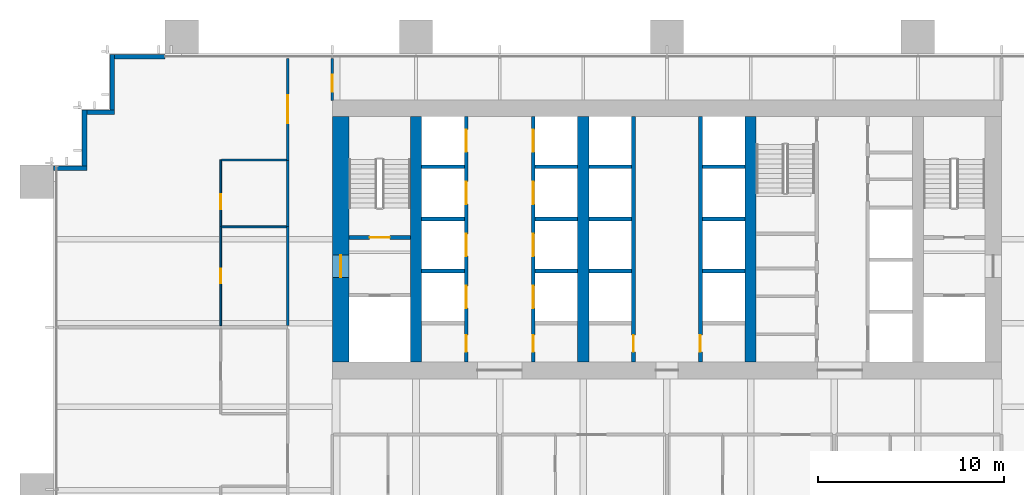
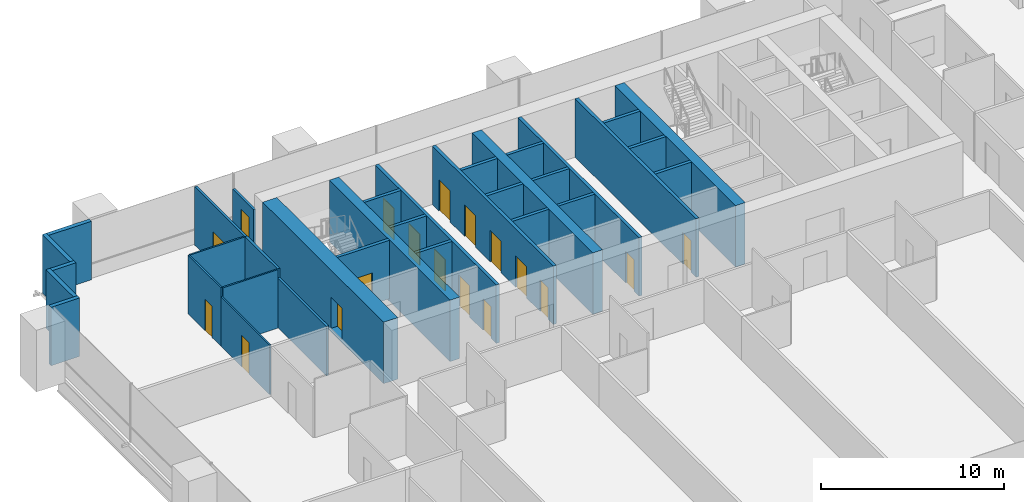
# One storey, part 13 of 17: 34 walls, 18 doors, 18 openings.
"""IFC4 building model written with IfcOpenShell, lengths in metres."""

from ifc_helpers import new_model, si_unit, direction, frame, frame_2d, origin, place, context, subcontext, project, spatial, rectangle, extrude, material, layer, layer_set, type_object, element, fill, save


model = new_model("IFC4")

# Units and contexts
model_context = context("Model", 3, precision=1e-05, world=origin(), true_north=direction((0.0, 1.0)))
body_context = subcontext(model_context, "Body", "Model", "MODEL_VIEW")
ifc_project = project(units=[si_unit("LENGTHUNIT", "METRE"), si_unit("AREAUNIT", "SQUARE_METRE"), si_unit("VOLUMEUNIT", "CUBIC_METRE"), si_unit("PLANEANGLEUNIT", "RADIAN"), si_unit("MASSUNIT", "GRAM", prefix="KILO")], contexts=[model_context])

# Site, building, storey
site_placement = place(None, origin())
site = spatial("IfcSite", under=ifc_project, at=site_placement, CompositionType="ELEMENT")
building_placement = place(site_placement, origin())
building = spatial("IfcBuilding", under=site, at=building_placement, Name="Rattan Terrace Tower", CompositionType="ELEMENT")
storey_placement = place(building_placement, frame((0.0, 0.0, 61.10009765625)))
storey = spatial("IfcBuildingStorey", under=building, at=storey_placement, Name="L13", CompositionType="ELEMENT", Elevation=61.10009765625)

# Wall, opening, door
ifc_material_1 = material(Name="Gypsum board partition")
ifc_layer_1 = layer(ifc_material_1, 0.199951171875)
ifc_layer_set_1 = layer_set([ifc_layer_1], Name="Core partition 200")
wall_type_1 = type_object("IfcWallType", Name="Core partition 200", PredefinedType="PARTITIONING", material=ifc_layer_set_1)
wall_1_placement = place(storey_placement, frame((-17.10009765625, 0.10009765625, 0.0), z_axis=(0.0, 0.0, 1.0), x_axis=(1.0, 0.0, 0.0)))
wall_1 = element("IfcWall", 1, at=wall_1_placement, inside=storey, type_object=wall_type_1, Name="Stair enclosure wall", PredefinedType="PARTITIONING", context=body_context, shape_type="SweptSolid", body=[
    extrude(rectangle(XDim=3.300048828125, YDim=0.199951171875, at=frame_2d((1.64990234375, 0.0))), origin(), (0.0, 0.0, 1.0), 3.89990234375),
])
opening_1_placement = place(wall_1_placement, frame((1.10009765625, 0.0, 0.0)))
opening_1 = element("IfcOpeningElement", 2, at=opening_1_placement, cuts=wall_1, Name="Opening L13-D002", PredefinedType="OPENING", context=body_context, shape_type="SweptSolid", body=[
    extrude(rectangle(XDim=1.10009765625, YDim=2.10009765625, at=frame_2d((0.550048828125, 1.050048828125))), frame((0.0, 0.110595703125, 0.0), z_axis=(0.0, -1.0, 0.0), x_axis=(1.0, 0.0, 0.0)), (0.0, 0.0, 1.0), 0.220947265625),
])
ifc_material_2 = material(Name="Hollow-metal fire door leaf")
door_type_1 = type_object("IfcDoorType", Name="Core stair door 1100", OperationType="NOTDEFINED", PredefinedType="DOOR", material=ifc_material_2)
door_1_placement = place(opening_1_placement, origin())
door_1 = element("IfcDoor", 3, at=door_1_placement, inside=storey, type_object=door_type_1, Name="Door L13-D002", OperationType="SINGLE_SWING_LEFT", OverallHeight=2.10009765625, OverallWidth=1.10009765625, PredefinedType="DOOR", context=body_context, shape_type="SweptSolid", body=[
    extrude(rectangle(XDim=1.10009765625, YDim=2.10009765625, at=frame_2d((0.550048828125, 1.050048828125))), frame((0.0, 0.02490234375, 0.0), z_axis=(0.0, -1.0, 0.0), x_axis=(1.0, 0.0, 0.0)), (0.0, 0.0, 1.0), 0.050048828125),
])
fill(opening_1, door_1)

ifc_material_3 = material(Name="Concrete C70/85", Category="concrete")
ifc_layer_2 = layer(ifc_material_3, 0.89990234375)
ifc_layer_set_2 = layer_set([ifc_layer_2], Name="Core ring wall 900 C70/85")
wall_type_2 = type_object("IfcWallType", Name="Core ring wall 900 C70/85", PredefinedType="SHEAR", material=ifc_layer_set_2)
wall_2_placement = place(storey_placement, frame((-17.550048828125, -6.60009765625, -0.2001953125), z_axis=(0.0, 0.0, 1.0), x_axis=(0.0, 1.0, 0.0)))
wall_2 = element("IfcWall", 4, at=wall_2_placement, inside=storey, type_object=wall_type_2, Name="Rear core wall west", PredefinedType="SHEAR", context=body_context, shape_type="SweptSolid", body=[
    extrude(rectangle(XDim=13.2001953125, YDim=0.89990234375, at=frame_2d((6.60009765625, 0.0))), origin(), (0.0, 0.0, 1.0), 4.10009765625),
])
opening_2_placement = place(wall_2_placement, frame((4.550048828125, 0.0, 0.199951171875)))
opening_2 = element("IfcOpeningElement", 5, at=opening_2_placement, cuts=wall_2, Name="Opening L13-D001", PredefinedType="OPENING", context=body_context, shape_type="SweptSolid", body=[
    extrude(rectangle(XDim=1.199951171875, YDim=2.10009765625, at=frame_2d((0.60009765625, 1.050048828125))), frame((0.0, 0.46044921875, 0.0), z_axis=(0.0, -1.0, 0.0), x_axis=(1.0, 0.0, 0.0)), (0.0, 0.0, 1.0), 0.9208984375),
])
ifc_material_4 = material(Name="Hollow-metal fire door leaf")
door_type_2 = type_object("IfcDoorType", Name="Core fire-fighting lobby door 1200", OperationType="NOTDEFINED", PredefinedType="DOOR", material=ifc_material_4)
door_2_placement = place(opening_2_placement, origin())
door_2 = element("IfcDoor", 6, at=door_2_placement, inside=storey, type_object=door_type_2, Name="Door L13-D001", OperationType="SINGLE_SWING_RIGHT", OverallHeight=2.10009765625, OverallWidth=1.199951171875, PredefinedType="DOOR", context=body_context, shape_type="SweptSolid", body=[
    extrude(rectangle(XDim=1.199951171875, YDim=2.10009765625, at=frame_2d((0.60009765625, 1.050048828125))), frame((0.0, 0.02490234375, 0.0), z_axis=(0.0, -1.0, 0.0), x_axis=(1.0, 0.0, 0.0)), (0.0, 0.0, 1.0), 0.050048828125),
])
fill(opening_2, door_2)

# Walls
ifc_material_5 = material(Name="Concrete C70/85", Category="concrete")
ifc_layer_3 = layer(ifc_material_5, 0.60009765625)
ifc_layer_set_3 = layer_set([ifc_layer_3], Name="Core spine wall 600 C70/85")
wall_type_3 = type_object("IfcWallType", Name="Core spine wall 600 C70/85", PredefinedType="SHEAR", material=ifc_layer_set_3)
for number, where, z_axis, x_axis, name in (
    (7, (-13.5, -6.60009765625, -0.2001953125), (0.0, 0.0, 1.0), (0.0, 1.0, 0.0), "Core spine wall 1"),
    (8, (-4.5, -6.60009765625, -0.2001953125), (0.0, 0.0, 1.0), (0.0, 1.0, 0.0), "Core spine wall 2"),
    (9, (4.5, -6.60009765625, -0.2001953125), (0.0, 0.0, 1.0), (0.0, 1.0, 0.0), "Core spine wall 3"),
):
    element("IfcWall", number, at=place(storey_placement, frame(where, z_axis=z_axis, x_axis=x_axis)), inside=storey, type_object=wall_type_3, Name=name, PredefinedType="SHEAR", context=body_context, shape_type="SweptSolid", body=[
        extrude(rectangle(XDim=13.2001953125, YDim=0.60009765625, at=frame_2d((6.60009765625, 0.0))), origin(), (0.0, 0.0, 1.0), 4.10009765625),
    ])
ifc_material_6 = material(Name="Insulated aluminium-clad stud wall", Category="aluminium")
ifc_layer_4 = layer(ifc_material_6, 0.25)
ifc_layer_set_4 = layer_set([ifc_layer_4], Name="Facade Riser Wall 250")
wall_type_4 = type_object("IfcWallType", Name="Facade Riser Wall 250", PredefinedType="SOLIDWALL", material=ifc_layer_set_4)
wall_3_placement = place(storey_placement, frame((-27.0, 9.830078125, 0.0), z_axis=(0.0, 0.0, 1.0), x_axis=(-1.0, 0.0, 0.0)))
element("IfcWall", 10, at=wall_3_placement, inside=storey, type_object=wall_type_4, Name="Riser wall L13-11", PredefinedType="SOLIDWALL", context=body_context, shape_type="SweptSolid", body=[
    extrude(rectangle(XDim=2.705078125, YDim=0.25, at=frame_2d((1.3525390625, 0.0))), origin(), (0.0, 0.0, 1.0), 3.89990234375),
])
wall_4_placement = place(storey_placement, frame((-29.830078125, 9.955078125, 0.0), z_axis=(0.0, 0.0, 1.0), x_axis=(0.0, -1.0, 0.0)))
element("IfcWall", 11, at=wall_4_placement, inside=storey, type_object=wall_type_4, Name="Riser wall L13-12", PredefinedType="SOLIDWALL", context=body_context, shape_type="SweptSolid", body=[
    extrude(rectangle(XDim=3.0, YDim=0.25, at=frame_2d((1.5, 0.0))), origin(), (0.0, 0.0, 1.0), 3.89990234375),
])
wall_5_placement = place(storey_placement, frame((-29.705078125, 6.830078125, 0.0), z_axis=(0.0, 0.0, 1.0), x_axis=(-1.0, 0.0, 0.0)))
element("IfcWall", 12, at=wall_5_placement, inside=storey, type_object=wall_type_4, Name="Riser wall L13-13", PredefinedType="SOLIDWALL", context=body_context, shape_type="SweptSolid", body=[
    extrude(rectangle(XDim=1.5, YDim=0.25, at=frame_2d((0.75, 0.0))), origin(), (0.0, 0.0, 1.0), 3.89990234375),
])
wall_6_placement = place(storey_placement, frame((-31.330078125, 6.955078125, 0.0), z_axis=(0.0, 0.0, 1.0), x_axis=(0.0, -1.0, 0.0)))
element("IfcWall", 13, at=wall_6_placement, inside=storey, type_object=wall_type_4, Name="Riser wall L13-14", PredefinedType="SOLIDWALL", context=body_context, shape_type="SweptSolid", body=[
    extrude(rectangle(XDim=3.0, YDim=0.25, at=frame_2d((1.5, 0.0))), origin(), (0.0, 0.0, 1.0), 3.89990234375),
])
wall_7_placement = place(storey_placement, frame((-31.205078125, 3.830078125, 0.0), z_axis=(0.0, 0.0, 1.0), x_axis=(-1.0, 0.0, 0.0)))
element("IfcWall", 14, at=wall_7_placement, inside=storey, type_object=wall_type_4, Name="Riser wall L13-15", PredefinedType="SOLIDWALL", context=body_context, shape_type="SweptSolid", body=[
    extrude(rectangle(XDim=1.7998046875, YDim=0.25, at=frame_2d((0.89990234375, 0.0))), origin(), (0.0, 0.0, 1.0), 3.89990234375),
])

# Wall, opening, door
ifc_material_7 = material(Name="Gypsum board partition on steel studs", Category="steel")
ifc_layer_5 = layer(ifc_material_7, 0.10009765625)
ifc_layer_set_5 = layer_set([ifc_layer_5], Name="Floors Partition 100")
wall_type_5 = type_object("IfcWallType", Name="Floors Partition 100", PredefinedType="PARTITIONING", material=ifc_layer_set_5)
wall_8_placement = place(storey_placement, frame((-24.0, 0.693115234375, 0.0), z_axis=(0.0, 0.0, 1.0), x_axis=(0.0, -1.0, 0.0)))
wall_8 = element("IfcWall", 15, at=wall_8_placement, inside=storey, type_object=wall_type_5, Name="pt-L13-044", PredefinedType="PARTITIONING", context=body_context, shape_type="SweptSolid", body=[
    extrude(rectangle(XDim=5.330078125, YDim=0.10009765625, at=frame_2d((2.6650390625, 0.0))), origin(), (0.0, 0.0, 1.0), 3.2998046875),
])
opening_3_placement = place(wall_8_placement, frame((2.264892578125, 0.0, 0.0)))
opening_3 = element("IfcOpeningElement", 16, at=opening_3_placement, cuts=wall_8, Name="Opening L13-D107", PredefinedType="OPENING", context=body_context, shape_type="SweptSolid", body=[
    extrude(rectangle(XDim=0.800048828125, YDim=2.10009765625, at=frame_2d((0.39990234375, 1.050048828125))), frame((0.0, 0.060546875, 0.0), z_axis=(0.0, -1.0, 0.0), x_axis=(1.0, 0.0, 0.0)), (0.0, 0.0, 1.0), 0.12109375),
])
ifc_material_8 = material(Name="Solid core timber door, painted", Category="wood")
door_type_3 = type_object("IfcDoorType", Name="Floors Store Door 800x2100", OperationType="NOTDEFINED", PredefinedType="DOOR", material=ifc_material_8)
door_3_placement = place(opening_3_placement, origin())
door_3 = element("IfcDoor", 17, at=door_3_placement, inside=storey, type_object=door_type_3, Name="d-L13-107", OperationType="SINGLE_SWING_RIGHT", OverallHeight=2.10009765625, OverallWidth=0.800048828125, PredefinedType="DOOR", context=body_context, shape_type="SweptSolid", body=[
    extrude(rectangle(XDim=0.800048828125, YDim=2.10009765625, at=frame_2d((0.39990234375, 1.050048828125))), frame((0.0, 0.02490234375, 0.0), z_axis=(0.0, -1.0, 0.0), x_axis=(1.0, 0.0, 0.0)), (0.0, 0.0, 1.0), 0.050048828125),
])
fill(opening_3, door_3)

wall_9_placement = place(storey_placement, frame((-24.0, 4.27294921875, 0.0), z_axis=(0.0, 0.0, 1.0), x_axis=(0.0, -1.0, 0.0)))
wall_9 = element("IfcWall", 18, at=wall_9_placement, inside=storey, type_object=wall_type_5, Name="pt-L13-045", PredefinedType="PARTITIONING", context=body_context, shape_type="SweptSolid", body=[
    extrude(rectangle(XDim=3.579833984375, YDim=0.10009765625, at=frame_2d((1.7900390625, 0.0))), origin(), (0.0, 0.0, 1.0), 3.89990234375),
])
opening_4_placement = place(wall_9_placement, frame((1.845947265625, 0.0, 0.0)))
opening_4 = element("IfcOpeningElement", 19, at=opening_4_placement, cuts=wall_9, Name="Opening L13-D108", PredefinedType="OPENING", context=body_context, shape_type="SweptSolid", body=[
    extrude(rectangle(XDim=0.800048828125, YDim=2.10009765625, at=frame_2d((0.39990234375, 1.050048828125))), frame((0.0, 0.060546875, 0.0), z_axis=(0.0, -1.0, 0.0), x_axis=(1.0, 0.0, 0.0)), (0.0, 0.0, 1.0), 0.12109375),
])
door_4_placement = place(opening_4_placement, origin())
door_4 = element("IfcDoor", 20, at=door_4_placement, inside=storey, type_object=door_type_3, Name="d-L13-108", OperationType="SINGLE_SWING_RIGHT", OverallHeight=2.10009765625, OverallWidth=0.800048828125, PredefinedType="DOOR", context=body_context, shape_type="SweptSolid", body=[
    extrude(rectangle(XDim=0.800048828125, YDim=2.10009765625, at=frame_2d((0.39990234375, 1.050048828125))), frame((0.0, 0.02490234375, 0.0), z_axis=(0.0, -1.0, 0.0), x_axis=(1.0, 0.0, 0.0)), (0.0, 0.0, 1.0), 0.050048828125),
])
fill(opening_4, door_4)

# Walls
for number, where, z_axis, x_axis, name in (
    (21, (-20.47509765625, 4.27294921875, 0.0), (0.0, 0.0, 1.0), (-1.0, 0.0, 0.0), "pt-L13-046"),
    (22, (-23.949951171875, 0.673095703125, 0.0), (0.0, 0.0, 1.0), (1.0, 0.0, 0.0), "pt-L13-047"),
):
    element("IfcWall", number, at=place(storey_placement, frame(where, z_axis=z_axis, x_axis=x_axis)), inside=storey, type_object=wall_type_5, Name=name, PredefinedType="PARTITIONING", context=body_context, shape_type="SweptSolid", body=[
        extrude(rectangle(XDim=3.474853515625, YDim=0.10009765625, at=frame_2d((1.7373046875, 0.0))), origin(), (0.0, 0.0, 1.0), 3.89990234375),
    ])

# Wall, opening, door
ifc_material_9 = material(Name="Gypsum board partition on steel studs, fire rated", Category="steel")
ifc_layer_6 = layer(ifc_material_9, 0.14990234375)
ifc_layer_set_6 = layer_set([ifc_layer_6], Name="Floors Tenancy Wall 150")
wall_type_6 = type_object("IfcWallType", Name="Floors Tenancy Wall 150", PredefinedType="PARTITIONING", material=ifc_layer_set_6)
wall_10_placement = place(storey_placement, frame((-20.39990234375, 4.2529296875, 0.0), z_axis=(0.0, 0.0, 1.0), x_axis=(0.0, 1.0, 0.0)))
wall_10 = element("IfcWall", 23, at=wall_10_placement, inside=storey, type_object=wall_type_6, Name="pt-L13-007", PredefinedType="PARTITIONING", context=body_context, shape_type="SweptSolid", body=[
    extrude(rectangle(XDim=5.487060546875, YDim=0.14990234375, at=frame_2d((2.74365234375, 0.0))), origin(), (0.0, 0.0, 1.0), 3.89990234375),
])
opening_5_placement = place(wall_10_placement, frame((1.993896484375, 0.0, 0.0)))
opening_5 = element("IfcOpeningElement", 24, at=opening_5_placement, cuts=wall_10, Name="Opening L13-D106", PredefinedType="OPENING", context=body_context, shape_type="SweptSolid", body=[
    extrude(rectangle(XDim=1.5, YDim=2.10009765625, at=frame_2d((0.75, 1.050048828125))), frame((0.0, 0.08544921875, 0.0), z_axis=(0.0, -1.0, 0.0), x_axis=(1.0, 0.0, 0.0)), (0.0, 0.0, 1.0), 0.1708984375),
])
ifc_material_10 = material(Name="Steel fire door set", Category="steel")
door_type_4 = type_object("IfcDoorType", Name="Floors Unit Door Pair FD30S 1500x2100", OperationType="NOTDEFINED", PredefinedType="DOOR", material=ifc_material_10)
door_5_placement = place(opening_5_placement, origin())
door_5 = element("IfcDoor", 25, at=door_5_placement, inside=storey, type_object=door_type_4, Name="d-L13-106", OperationType="DOUBLE_DOOR_SINGLE_SWING", OverallHeight=2.10009765625, OverallWidth=1.5, PredefinedType="DOOR", context=body_context, shape_type="SweptSolid", body=[
    extrude(rectangle(XDim=1.5, YDim=2.10009765625, at=frame_2d((0.75, 1.050048828125))), frame((0.0, 0.02490234375, 0.0), z_axis=(0.0, -1.0, 0.0), x_axis=(1.0, 0.0, 0.0)), (0.0, 0.0, 1.0), 0.050048828125),
])
fill(opening_5, door_5)

# Walls
wall_11_placement = place(storey_placement, frame((-20.39990234375, -4.636962890625, 0.0), z_axis=(0.0, 0.0, 1.0), x_axis=(0.0, 1.0, 0.0)))
element("IfcWall", 26, at=wall_11_placement, inside=storey, type_object=wall_type_6, Name="pt-L13-008", PredefinedType="PARTITIONING", context=body_context, shape_type="SweptSolid", body=[
    extrude(rectangle(XDim=5.330078125, YDim=0.14990234375, at=frame_2d((2.6650390625, 0.0))), origin(), (0.0, 0.0, 1.0), 3.2998046875),
])
wall_12_placement = place(storey_placement, frame((-20.39990234375, 0.693115234375, 0.0), z_axis=(0.0, 0.0, 1.0), x_axis=(0.0, 1.0, 0.0)))
element("IfcWall", 27, at=wall_12_placement, inside=storey, type_object=wall_type_6, Name="pt-L13-009", PredefinedType="PARTITIONING", context=body_context, shape_type="SweptSolid", body=[
    extrude(rectangle(XDim=3.559814453125, YDim=0.14990234375, at=frame_2d((1.77978515625, 0.0))), origin(), (0.0, 0.0, 1.0), 3.89990234375),
])

# Wall, opening, door
wall_13_placement = place(storey_placement, frame((-18.0, 9.739990234375, 0.0), z_axis=(0.0, 0.0, 1.0), x_axis=(0.0, -1.0, 0.0)))
wall_13 = element("IfcWall", 28, at=wall_13_placement, inside=storey, type_object=wall_type_6, Name="pt-L13-018", PredefinedType="PARTITIONING", context=body_context, shape_type="SweptSolid", body=[
    extrude(rectangle(XDim=2.260009765625, YDim=0.14990234375, at=frame_2d((1.1298828125, 0.0))), origin(), (0.0, 0.0, 1.0), 2.89990234375),
])
opening_6_placement = place(wall_13_placement, frame((0.89501953125, 0.0, 0.0)))
opening_6 = element("IfcOpeningElement", 29, at=opening_6_placement, cuts=wall_13, Name="Opening L13-D117", PredefinedType="OPENING", context=body_context, shape_type="SweptSolid", body=[
    extrude(rectangle(XDim=0.89990234375, YDim=2.10009765625, at=frame_2d((0.449951171875, 1.050048828125))), frame((0.0, 0.08544921875, 0.0), z_axis=(0.0, -1.0, 0.0), x_axis=(1.0, 0.0, 0.0)), (0.0, 0.0, 1.0), 0.1708984375),
])
ifc_material_11 = material(Name="Steel fire door set", Category="steel")
door_type_5 = type_object("IfcDoorType", Name="Floors Fire Door FD30S 900x2100", OperationType="NOTDEFINED", PredefinedType="DOOR", material=ifc_material_11)
door_6_placement = place(opening_6_placement, origin())
door_6 = element("IfcDoor", 30, at=door_6_placement, inside=storey, type_object=door_type_5, Name="d-L13-117", OperationType="SINGLE_SWING_RIGHT", OverallHeight=2.10009765625, OverallWidth=0.89990234375, PredefinedType="DOOR", context=body_context, shape_type="SweptSolid", body=[
    extrude(rectangle(XDim=0.89990234375, YDim=2.10009765625, at=frame_2d((0.449951171875, 1.050048828125))), frame((0.0, 0.02490234375, 0.0), z_axis=(0.0, -1.0, 0.0), x_axis=(1.0, 0.0, 0.0)), (0.0, 0.0, 1.0), 0.050048828125),
])
fill(opening_6, door_6)

# Wall, openings, doors
ifc_material_12 = material(Name="Gypsum shaft wall system")
ifc_layer_7 = layer(ifc_material_12, 0.199951171875)
ifc_layer_set_7 = layer_set([ifc_layer_7], Name="Lift shaft wall 200")
wall_type_7 = type_object("IfcWallType", Name="Lift shaft wall 200", PredefinedType="PARTITIONING", material=ifc_layer_set_7)
wall_14_placement = place(storey_placement, frame((-10.800048828125, -6.60009765625, 0.0), z_axis=(0.0, 0.0, 1.0), x_axis=(0.0, 1.0, 0.0)))
wall_14 = element("IfcWall", 31, at=wall_14_placement, inside=storey, type_object=wall_type_7, Name="Lift shaft front wall", PredefinedType="PARTITIONING", context=body_context, shape_type="SweptSolid", body=[
    extrude(rectangle(XDim=13.2001953125, YDim=0.199951171875, at=frame_2d((6.60009765625, 0.0))), origin(), (0.0, 0.0, 1.0), 3.89990234375),
])
opening_7_placement = place(wall_14_placement, frame((0.550048828125, 0.0, 0.0)))
opening_7 = element("IfcOpeningElement", 32, at=opening_7_placement, cuts=wall_14, Name="Opening L13-D005", PredefinedType="OPENING", context=body_context, shape_type="SweptSolid", body=[
    extrude(rectangle(XDim=0.89990234375, YDim=2.10009765625, at=frame_2d((0.449951171875, 1.050048828125))), frame((0.0, 0.110595703125, 0.0), z_axis=(0.0, -1.0, 0.0), x_axis=(1.0, 0.0, 0.0)), (0.0, 0.0, 1.0), 0.220947265625),
])
opening_8_placement = place(wall_14_placement, frame((2.89990234375, 0.0, 0.0)))
opening_8 = element("IfcOpeningElement", 33, at=opening_8_placement, cuts=wall_14, Name="Opening L13-LD-LR1", PredefinedType="OPENING", context=body_context, shape_type="SweptSolid", body=[
    extrude(rectangle(XDim=1.199951171875, YDim=2.10009765625, at=frame_2d((0.60009765625, 1.050048828125))), frame((0.0, 0.110595703125, 0.0), z_axis=(0.0, -1.0, 0.0), x_axis=(1.0, 0.0, 0.0)), (0.0, 0.0, 1.0), 0.220947265625),
])
opening_9_placement = place(wall_14_placement, frame((5.699951171875, 0.0, 0.0)))
opening_9 = element("IfcOpeningElement", 34, at=opening_9_placement, cuts=wall_14, Name="Opening L13-LD-LR2", PredefinedType="OPENING", context=body_context, shape_type="SweptSolid", body=[
    extrude(rectangle(XDim=1.199951171875, YDim=2.10009765625, at=frame_2d((0.60009765625, 1.050048828125))), frame((0.0, 0.110595703125, 0.0), z_axis=(0.0, -1.0, 0.0), x_axis=(1.0, 0.0, 0.0)), (0.0, 0.0, 1.0), 0.220947265625),
])
opening_10_placement = place(wall_14_placement, frame((8.5, 0.0, 0.0)))
opening_10 = element("IfcOpeningElement", 35, at=opening_10_placement, cuts=wall_14, Name="Opening L13-LD-LR3", PredefinedType="OPENING", context=body_context, shape_type="SweptSolid", body=[
    extrude(rectangle(XDim=1.199951171875, YDim=2.10009765625, at=frame_2d((0.60009765625, 1.050048828125))), frame((0.0, 0.110595703125, 0.0), z_axis=(0.0, -1.0, 0.0), x_axis=(1.0, 0.0, 0.0)), (0.0, 0.0, 1.0), 0.220947265625),
])
opening_11_placement = place(wall_14_placement, frame((11.300048828125, 0.0, 0.0)))
opening_11 = element("IfcOpeningElement", 36, at=opening_11_placement, cuts=wall_14, Name="Opening L13-LD-LR4", PredefinedType="OPENING", context=body_context, shape_type="SweptSolid", body=[
    extrude(rectangle(XDim=1.199951171875, YDim=2.10009765625, at=frame_2d((0.60009765625, 1.050048828125))), frame((0.0, 0.110595703125, 0.0), z_axis=(0.0, -1.0, 0.0), x_axis=(1.0, 0.0, 0.0)), (0.0, 0.0, 1.0), 0.220947265625),
])
ifc_material_13 = material(Name="Brushed stainless landing door panel")
door_type_6 = type_object("IfcDoorType", Name="Core lift landing door 1200", OperationType="DOUBLE_DOOR_SLIDING", PredefinedType="DOOR", material=ifc_material_13)
door_7_placement = place(opening_8_placement, origin())
door_7 = element("IfcDoor", 37, at=door_7_placement, inside=storey, type_object=door_type_6, Name="Door L13-LD-LR1", OperationType="DOUBLE_DOOR_SLIDING", OverallHeight=2.10009765625, OverallWidth=1.199951171875, PredefinedType="DOOR", context=body_context, shape_type="SweptSolid", body=[
    extrude(rectangle(XDim=1.199951171875, YDim=2.10009765625, at=frame_2d((0.60009765625, 1.050048828125))), frame((0.0, 0.02490234375, 0.0), z_axis=(0.0, -1.0, 0.0), x_axis=(1.0, 0.0, 0.0)), (0.0, 0.0, 1.0), 0.050048828125),
])
fill(opening_8, door_7)
door_8_placement = place(opening_9_placement, origin())
door_8 = element("IfcDoor", 38, at=door_8_placement, inside=storey, type_object=door_type_6, Name="Door L13-LD-LR2", OperationType="DOUBLE_DOOR_SLIDING", OverallHeight=2.10009765625, OverallWidth=1.199951171875, PredefinedType="DOOR", context=body_context, shape_type="SweptSolid", body=[
    extrude(rectangle(XDim=1.199951171875, YDim=2.10009765625, at=frame_2d((0.60009765625, 1.050048828125))), frame((0.0, 0.02490234375, 0.0), z_axis=(0.0, -1.0, 0.0), x_axis=(1.0, 0.0, 0.0)), (0.0, 0.0, 1.0), 0.050048828125),
])
fill(opening_9, door_8)
door_9_placement = place(opening_10_placement, origin())
door_9 = element("IfcDoor", 39, at=door_9_placement, inside=storey, type_object=door_type_6, Name="Door L13-LD-LR3", OperationType="DOUBLE_DOOR_SLIDING", OverallHeight=2.10009765625, OverallWidth=1.199951171875, PredefinedType="DOOR", context=body_context, shape_type="SweptSolid", body=[
    extrude(rectangle(XDim=1.199951171875, YDim=2.10009765625, at=frame_2d((0.60009765625, 1.050048828125))), frame((0.0, 0.02490234375, 0.0), z_axis=(0.0, -1.0, 0.0), x_axis=(1.0, 0.0, 0.0)), (0.0, 0.0, 1.0), 0.050048828125),
])
fill(opening_10, door_9)
door_10_placement = place(opening_11_placement, origin())
door_10 = element("IfcDoor", 40, at=door_10_placement, inside=storey, type_object=door_type_6, Name="Door L13-LD-LR4", OperationType="DOUBLE_DOOR_SLIDING", OverallHeight=2.10009765625, OverallWidth=1.199951171875, PredefinedType="DOOR", context=body_context, shape_type="SweptSolid", body=[
    extrude(rectangle(XDim=1.199951171875, YDim=2.10009765625, at=frame_2d((0.60009765625, 1.050048828125))), frame((0.0, 0.02490234375, 0.0), z_axis=(0.0, -1.0, 0.0), x_axis=(1.0, 0.0, 0.0)), (0.0, 0.0, 1.0), 0.050048828125),
])
fill(opening_11, door_10)
ifc_material_14 = material(Name="Hollow-metal fire door leaf")
door_type_7 = type_object("IfcDoorType", Name="Core riser door 900", OperationType="NOTDEFINED", PredefinedType="DOOR", material=ifc_material_14)
door_11_placement = place(opening_7_placement, origin())
door_11 = element("IfcDoor", 41, at=door_11_placement, inside=storey, type_object=door_type_7, Name="Door L13-D005", OperationType="SINGLE_SWING_RIGHT", OverallHeight=2.10009765625, OverallWidth=0.89990234375, PredefinedType="DOOR", context=body_context, shape_type="SweptSolid", body=[
    extrude(rectangle(XDim=0.89990234375, YDim=2.10009765625, at=frame_2d((0.449951171875, 1.050048828125))), frame((0.0, 0.02490234375, 0.0), z_axis=(0.0, -1.0, 0.0), x_axis=(1.0, 0.0, 0.0)), (0.0, 0.0, 1.0), 0.050048828125),
])
fill(opening_7, door_11)

wall_15_placement = place(storey_placement, frame((-7.199951171875, -6.60009765625, 0.0), z_axis=(0.0, 0.0, 1.0), x_axis=(0.0, 1.0, 0.0)))
wall_15 = element("IfcWall", 42, at=wall_15_placement, inside=storey, type_object=wall_type_7, Name="Lift shaft front wall", PredefinedType="PARTITIONING", context=body_context, shape_type="SweptSolid", body=[
    extrude(rectangle(XDim=13.2001953125, YDim=0.199951171875, at=frame_2d((6.60009765625, 0.0))), origin(), (0.0, 0.0, 1.0), 3.89990234375),
])
opening_12_placement = place(wall_15_placement, frame((0.550048828125, 0.0, 0.0)))
opening_12 = element("IfcOpeningElement", 43, at=opening_12_placement, cuts=wall_15, Name="Opening L13-D006", PredefinedType="OPENING", context=body_context, shape_type="SweptSolid", body=[
    extrude(rectangle(XDim=0.89990234375, YDim=2.10009765625, at=frame_2d((0.449951171875, 1.050048828125))), frame((0.0, 0.110595703125, 0.0), z_axis=(0.0, -1.0, 0.0), x_axis=(1.0, 0.0, 0.0)), (0.0, 0.0, 1.0), 0.220947265625),
])
opening_13_placement = place(wall_15_placement, frame((2.89990234375, 0.0, 0.0)))
opening_13 = element("IfcOpeningElement", 44, at=opening_13_placement, cuts=wall_15, Name="Opening L13-LD-LR5", PredefinedType="OPENING", context=body_context, shape_type="SweptSolid", body=[
    extrude(rectangle(XDim=1.199951171875, YDim=2.10009765625, at=frame_2d((0.60009765625, 1.050048828125))), frame((0.0, 0.110595703125, 0.0), z_axis=(0.0, -1.0, 0.0), x_axis=(1.0, 0.0, 0.0)), (0.0, 0.0, 1.0), 0.220947265625),
])
opening_14_placement = place(wall_15_placement, frame((5.699951171875, 0.0, 0.0)))
opening_14 = element("IfcOpeningElement", 45, at=opening_14_placement, cuts=wall_15, Name="Opening L13-LD-LR6", PredefinedType="OPENING", context=body_context, shape_type="SweptSolid", body=[
    extrude(rectangle(XDim=1.199951171875, YDim=2.10009765625, at=frame_2d((0.60009765625, 1.050048828125))), frame((0.0, 0.110595703125, 0.0), z_axis=(0.0, -1.0, 0.0), x_axis=(1.0, 0.0, 0.0)), (0.0, 0.0, 1.0), 0.220947265625),
])
opening_15_placement = place(wall_15_placement, frame((8.5, 0.0, 0.0)))
opening_15 = element("IfcOpeningElement", 46, at=opening_15_placement, cuts=wall_15, Name="Opening L13-LD-LR7", PredefinedType="OPENING", context=body_context, shape_type="SweptSolid", body=[
    extrude(rectangle(XDim=1.199951171875, YDim=2.10009765625, at=frame_2d((0.60009765625, 1.050048828125))), frame((0.0, 0.110595703125, 0.0), z_axis=(0.0, -1.0, 0.0), x_axis=(1.0, 0.0, 0.0)), (0.0, 0.0, 1.0), 0.220947265625),
])
opening_16_placement = place(wall_15_placement, frame((11.300048828125, 0.0, 0.0)))
opening_16 = element("IfcOpeningElement", 47, at=opening_16_placement, cuts=wall_15, Name="Opening L13-LD-LR8", PredefinedType="OPENING", context=body_context, shape_type="SweptSolid", body=[
    extrude(rectangle(XDim=1.199951171875, YDim=2.10009765625, at=frame_2d((0.60009765625, 1.050048828125))), frame((0.0, 0.110595703125, 0.0), z_axis=(0.0, -1.0, 0.0), x_axis=(1.0, 0.0, 0.0)), (0.0, 0.0, 1.0), 0.220947265625),
])
door_12_placement = place(opening_13_placement, origin())
door_12 = element("IfcDoor", 48, at=door_12_placement, inside=storey, type_object=door_type_6, Name="Door L13-LD-LR5", OperationType="DOUBLE_DOOR_SLIDING", OverallHeight=2.10009765625, OverallWidth=1.199951171875, PredefinedType="DOOR", context=body_context, shape_type="SweptSolid", body=[
    extrude(rectangle(XDim=1.199951171875, YDim=2.10009765625, at=frame_2d((0.60009765625, 1.050048828125))), frame((0.0, 0.02490234375, 0.0), z_axis=(0.0, -1.0, 0.0), x_axis=(1.0, 0.0, 0.0)), (0.0, 0.0, 1.0), 0.050048828125),
])
fill(opening_13, door_12)
door_13_placement = place(opening_14_placement, origin())
door_13 = element("IfcDoor", 49, at=door_13_placement, inside=storey, type_object=door_type_6, Name="Door L13-LD-LR6", OperationType="DOUBLE_DOOR_SLIDING", OverallHeight=2.10009765625, OverallWidth=1.199951171875, PredefinedType="DOOR", context=body_context, shape_type="SweptSolid", body=[
    extrude(rectangle(XDim=1.199951171875, YDim=2.10009765625, at=frame_2d((0.60009765625, 1.050048828125))), frame((0.0, 0.02490234375, 0.0), z_axis=(0.0, -1.0, 0.0), x_axis=(1.0, 0.0, 0.0)), (0.0, 0.0, 1.0), 0.050048828125),
])
fill(opening_14, door_13)
door_14_placement = place(opening_15_placement, origin())
door_14 = element("IfcDoor", 50, at=door_14_placement, inside=storey, type_object=door_type_6, Name="Door L13-LD-LR7", OperationType="DOUBLE_DOOR_SLIDING", OverallHeight=2.10009765625, OverallWidth=1.199951171875, PredefinedType="DOOR", context=body_context, shape_type="SweptSolid", body=[
    extrude(rectangle(XDim=1.199951171875, YDim=2.10009765625, at=frame_2d((0.60009765625, 1.050048828125))), frame((0.0, 0.02490234375, 0.0), z_axis=(0.0, -1.0, 0.0), x_axis=(1.0, 0.0, 0.0)), (0.0, 0.0, 1.0), 0.050048828125),
])
fill(opening_15, door_14)
door_15_placement = place(opening_16_placement, origin())
door_15 = element("IfcDoor", 51, at=door_15_placement, inside=storey, type_object=door_type_6, Name="Door L13-LD-LR8", OperationType="DOUBLE_DOOR_SLIDING", OverallHeight=2.10009765625, OverallWidth=1.199951171875, PredefinedType="DOOR", context=body_context, shape_type="SweptSolid", body=[
    extrude(rectangle(XDim=1.199951171875, YDim=2.10009765625, at=frame_2d((0.60009765625, 1.050048828125))), frame((0.0, 0.02490234375, 0.0), z_axis=(0.0, -1.0, 0.0), x_axis=(1.0, 0.0, 0.0)), (0.0, 0.0, 1.0), 0.050048828125),
])
fill(opening_16, door_15)
door_16_placement = place(opening_12_placement, origin())
door_16 = element("IfcDoor", 52, at=door_16_placement, inside=storey, type_object=door_type_7, Name="Door L13-D006", OperationType="SINGLE_SWING_LEFT", OverallHeight=2.10009765625, OverallWidth=0.89990234375, PredefinedType="DOOR", context=body_context, shape_type="SweptSolid", body=[
    extrude(rectangle(XDim=0.89990234375, YDim=2.10009765625, at=frame_2d((0.449951171875, 1.050048828125))), frame((0.0, 0.02490234375, 0.0), z_axis=(0.0, -1.0, 0.0), x_axis=(1.0, 0.0, 0.0)), (0.0, 0.0, 1.0), 0.050048828125),
])
fill(opening_12, door_16)

# Walls
for number, where, z_axis, x_axis, name in (
    (53, (-13.199951171875, -1.699951171875, 0.0), (0.0, 0.0, 1.0), (1.0, 0.0, 0.0), "Lift shaft wall"),
    (54, (-13.199951171875, 1.10009765625, 0.0), (0.0, 0.0, 1.0), (1.0, 0.0, 0.0), "Lift shaft wall"),
    (55, (-13.199951171875, 3.89990234375, 0.0), (0.0, 0.0, 1.0), (1.0, 0.0, 0.0), "Lift shaft wall"),
    (56, (-7.10009765625, -1.699951171875, 0.0), (0.0, 0.0, 1.0), (1.0, 0.0, 0.0), "Lift shaft wall"),
    (57, (-7.10009765625, 1.10009765625, 0.0), (0.0, 0.0, 1.0), (1.0, 0.0, 0.0), "Lift shaft wall"),
    (58, (-7.10009765625, 3.89990234375, 0.0), (0.0, 0.0, 1.0), (1.0, 0.0, 0.0), "Lift shaft wall"),
):
    element("IfcWall", number, at=place(storey_placement, frame(where, z_axis=z_axis, x_axis=x_axis)), inside=storey, type_object=wall_type_7, Name=name, PredefinedType="PARTITIONING", context=body_context, shape_type="SweptSolid", body=[
        extrude(rectangle(XDim=2.300048828125, YDim=0.199951171875, at=frame_2d((1.14990234375, 0.0))), origin(), (0.0, 0.0, 1.0), 3.89990234375),
    ])

# Wall, opening, door
wall_16_placement = place(storey_placement, frame((-1.800048828125, -6.60009765625, 0.0), z_axis=(0.0, 0.0, 1.0), x_axis=(0.0, 1.0, 0.0)))
wall_16 = element("IfcWall", 59, at=wall_16_placement, inside=storey, type_object=wall_type_7, Name="Lift shaft front wall", PredefinedType="PARTITIONING", context=body_context, shape_type="SweptSolid", body=[
    extrude(rectangle(XDim=13.2001953125, YDim=0.199951171875, at=frame_2d((6.60009765625, 0.0))), origin(), (0.0, 0.0, 1.0), 3.89990234375),
])
opening_17_placement = place(wall_16_placement, frame((0.550048828125, 0.0, 0.0)))
opening_17 = element("IfcOpeningElement", 60, at=opening_17_placement, cuts=wall_16, Name="Opening L13-D008", PredefinedType="OPENING", context=body_context, shape_type="SweptSolid", body=[
    extrude(rectangle(XDim=0.89990234375, YDim=2.10009765625, at=frame_2d((0.449951171875, 1.050048828125))), frame((0.0, 0.110595703125, 0.0), z_axis=(0.0, -1.0, 0.0), x_axis=(1.0, 0.0, 0.0)), (0.0, 0.0, 1.0), 0.220947265625),
])
door_17_placement = place(opening_17_placement, origin())
door_17 = element("IfcDoor", 61, at=door_17_placement, inside=storey, type_object=door_type_7, Name="Door L13-D008", OperationType="SINGLE_SWING_RIGHT", OverallHeight=2.10009765625, OverallWidth=0.89990234375, PredefinedType="DOOR", context=body_context, shape_type="SweptSolid", body=[
    extrude(rectangle(XDim=0.89990234375, YDim=2.10009765625, at=frame_2d((0.449951171875, 1.050048828125))), frame((0.0, 0.02490234375, 0.0), z_axis=(0.0, -1.0, 0.0), x_axis=(1.0, 0.0, 0.0)), (0.0, 0.0, 1.0), 0.050048828125),
])
fill(opening_17, door_17)

wall_17_placement = place(storey_placement, frame((1.800048828125, -6.60009765625, 0.0), z_axis=(0.0, 0.0, 1.0), x_axis=(0.0, 1.0, 0.0)))
wall_17 = element("IfcWall", 62, at=wall_17_placement, inside=storey, type_object=wall_type_7, Name="Lift shaft front wall", PredefinedType="PARTITIONING", context=body_context, shape_type="SweptSolid", body=[
    extrude(rectangle(XDim=13.2001953125, YDim=0.199951171875, at=frame_2d((6.60009765625, 0.0))), origin(), (0.0, 0.0, 1.0), 3.89990234375),
])
opening_18_placement = place(wall_17_placement, frame((0.550048828125, 0.0, 0.0)))
opening_18 = element("IfcOpeningElement", 63, at=opening_18_placement, cuts=wall_17, Name="Opening L13-D009", PredefinedType="OPENING", context=body_context, shape_type="SweptSolid", body=[
    extrude(rectangle(XDim=0.89990234375, YDim=2.10009765625, at=frame_2d((0.449951171875, 1.050048828125))), frame((0.0, 0.110595703125, 0.0), z_axis=(0.0, -1.0, 0.0), x_axis=(1.0, 0.0, 0.0)), (0.0, 0.0, 1.0), 0.220947265625),
])
door_18_placement = place(opening_18_placement, origin())
door_18 = element("IfcDoor", 64, at=door_18_placement, inside=storey, type_object=door_type_7, Name="Door L13-D009", OperationType="SINGLE_SWING_LEFT", OverallHeight=2.10009765625, OverallWidth=0.89990234375, PredefinedType="DOOR", context=body_context, shape_type="SweptSolid", body=[
    extrude(rectangle(XDim=0.89990234375, YDim=2.10009765625, at=frame_2d((0.449951171875, 1.050048828125))), frame((0.0, 0.02490234375, 0.0), z_axis=(0.0, -1.0, 0.0), x_axis=(1.0, 0.0, 0.0)), (0.0, 0.0, 1.0), 0.050048828125),
])
fill(opening_18, door_18)

# Walls
for number, where, z_axis, x_axis, name in (
    (65, (-4.199951171875, -1.699951171875, 0.0), (0.0, 0.0, 1.0), (1.0, 0.0, 0.0), "Lift shaft wall"),
    (66, (-4.199951171875, 1.10009765625, 0.0), (0.0, 0.0, 1.0), (1.0, 0.0, 0.0), "Lift shaft wall"),
    (67, (-4.199951171875, 3.89990234375, 0.0), (0.0, 0.0, 1.0), (1.0, 0.0, 0.0), "Lift shaft wall"),
    (68, (1.89990234375, -1.699951171875, 0.0), (0.0, 0.0, 1.0), (1.0, 0.0, 0.0), "Lift shaft wall"),
    (69, (1.89990234375, 1.10009765625, 0.0), (0.0, 0.0, 1.0), (1.0, 0.0, 0.0), "Lift shaft wall"),
    (70, (1.89990234375, 3.89990234375, 0.0), (0.0, 0.0, 1.0), (1.0, 0.0, 0.0), "Lift shaft wall"),
):
    element("IfcWall", number, at=place(storey_placement, frame(where, z_axis=z_axis, x_axis=x_axis)), inside=storey, type_object=wall_type_7, Name=name, PredefinedType="PARTITIONING", context=body_context, shape_type="SweptSolid", body=[
        extrude(rectangle(XDim=2.300048828125, YDim=0.199951171875, at=frame_2d((1.14990234375, 0.0))), origin(), (0.0, 0.0, 1.0), 3.89990234375),
    ])

save(model, "model.ifc")
